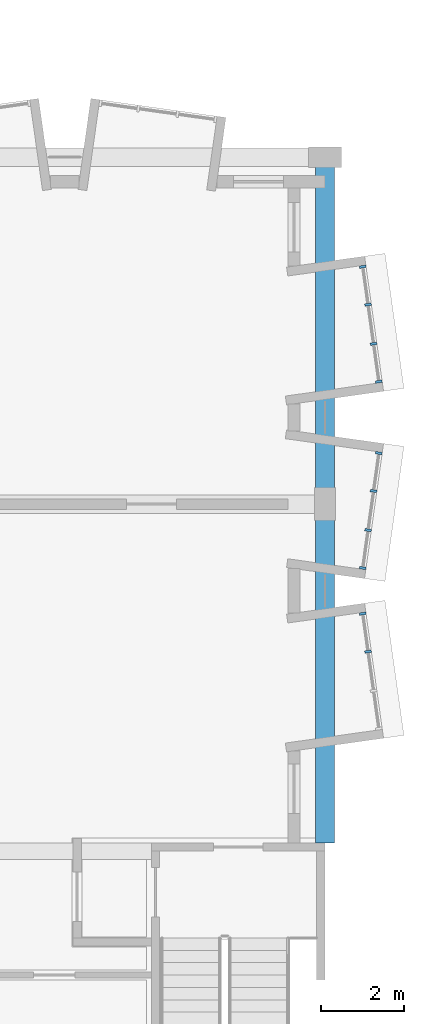
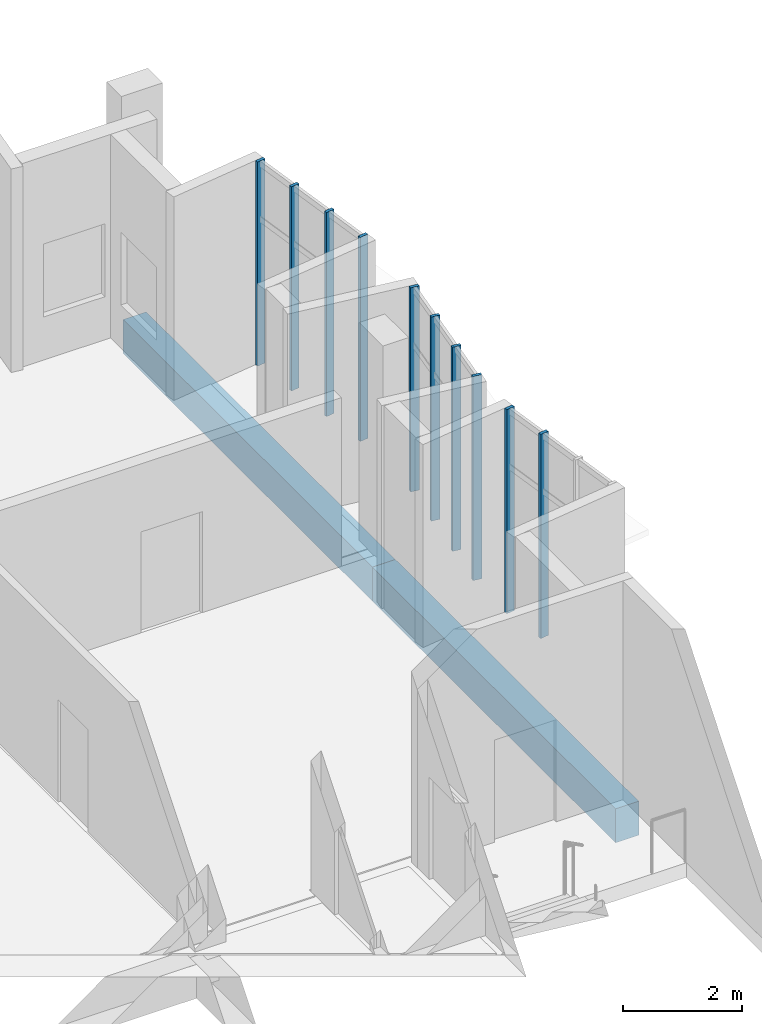
# One storey, part 4 of 19: 10 members, 2 beams, 3 elements without a shape of their own.
"""IFC4 building model written with IfcOpenShell, lengths in metres."""

import ifcopenshell
import ifcopenshell.guid

model = None  # the IFC model being written
_history = None  # IfcOwnerHistory: only IFC2X3 demands one
_inside = {}  # id of a spatial element -> (the spatial element, [elements in it])
_under = {}  # id of a project, library or spatial element -> (it, [spatial elements below it])
_declared = {}  # id of a project -> (the project, [libraries it declares])
_typed = {}  # id of a type object -> (the type object, [elements of that type])
_made_of = {}  # id of a material, layer set ... -> (it, [elements and type objects made of it])


def new_model(schema):
    """Start an empty IFC model of exactly this schema.

    Asked for "IFC4X3", IfcOpenShell would pick the latest addendum, in which some entities
    have other attributes; the version numbers below select the first issue.
    IFC2X3 requires an IfcOwnerHistory on every rooted entity: one is made here for all.
    """
    global model, _history
    if schema == "IFC4X3":
        model = ifcopenshell.file(schema_version=(4, 3, 0, 0))
    else:
        model = ifcopenshell.file(schema=schema)
    _inside.clear()
    _under.clear()
    _declared.clear()
    _typed.clear()
    _made_of.clear()
    _history = None
    if model.schema == "IFC2X3":
        org = make("IfcOrganization", Name="unknown")
        user = make(
            "IfcPersonAndOrganization",
            ThePerson=make("IfcPerson", FamilyName="unknown"),
            TheOrganization=org,
        )
        app = make(
            "IfcApplication",
            ApplicationDeveloper=org,
            Version="unknown",
            ApplicationFullName="unknown",
            ApplicationIdentifier="unknown",
        )
        _history = make(
            "IfcOwnerHistory",
            OwningUser=user,
            OwningApplication=app,
            ChangeAction="ADDED",
            CreationDate=0,
        )
    return model


def make(cls, **values):
    """One entity of the class cls with the attributes given. An attribute that is None is left unset."""
    return model.create_entity(
        cls, **{name: value for name, value in values.items() if value is not None}
    )


def rooted(cls, **values):
    """An entity with a GlobalId (a new one), such as an element, a storey or a relation."""
    return make(cls, GlobalId=ifcopenshell.guid.new(), OwnerHistory=_history, **values)


def si_unit(unit_type, name, prefix=None):
    """IfcSIUnit, for example si_unit("LENGTHUNIT", "METRE", prefix="MILLI")."""
    return make("IfcSIUnit", UnitType=unit_type, Prefix=prefix, Name=name)


def assignment(units):
    """IfcUnitAssignment: the units of a project."""
    return None if units is None else make("IfcUnitAssignment", Units=units)


def point(xyz):
    """IfcCartesianPoint."""
    return None if xyz is None else make("IfcCartesianPoint", Coordinates=xyz)


def direction(xyz):
    """IfcDirection."""
    return None if xyz is None else make("IfcDirection", DirectionRatios=xyz)


def frame(location, z_axis=None, x_axis=None):
    """IfcAxis2Placement3D, a coordinate frame: its origin and axes. An axis left out is left unset."""
    return make(
        "IfcAxis2Placement3D",
        Location=point(location),
        Axis=direction(z_axis),
        RefDirection=direction(x_axis),
    )


def frame_2d(location, x_axis=None):
    """IfcAxis2Placement2D, a coordinate frame in the plane: its origin and x axis."""
    return make(
        "IfcAxis2Placement2D", Location=point(location), RefDirection=direction(x_axis)
    )


def origin():
    """The frame at (0, 0, 0) with its axes left unset."""
    return frame((0.0, 0.0, 0.0))


def origin_2d():
    """The frame at (0, 0) in the plane with its x axis left unset."""
    return frame_2d((0.0, 0.0))


def place(relative_to, where):
    """IfcLocalPlacement: puts the frame where relative to a parent placement (None: the world)."""
    return make(
        "IfcLocalPlacement", PlacementRelTo=relative_to, RelativePlacement=where
    )


def context(
    kind, dimensions, precision=None, world=None, true_north=None, identifier=None
):
    """IfcGeometricRepresentationContext, for example the 3D "Model" context."""
    return make(
        "IfcGeometricRepresentationContext",
        ContextIdentifier=identifier,
        ContextType=kind,
        CoordinateSpaceDimension=dimensions,
        Precision=precision,
        WorldCoordinateSystem=world,
        TrueNorth=true_north,
    )


def subcontext(parent, identifier, kind, view, scale=None):
    """IfcGeometricRepresentationSubContext, for example "Body" below "Model"."""
    return make(
        "IfcGeometricRepresentationSubContext",
        ContextIdentifier=identifier,
        ContextType=kind,
        ParentContext=parent,
        TargetScale=scale,
        TargetView=view,
    )


def project(units=None, contexts=None):
    """IfcProject with its units and contexts."""
    return rooted(
        "IfcProject",
        Name="project",
        RepresentationContexts=contexts,
        UnitsInContext=assignment(units),
    )


def spatial(cls, under=None, at=None, **own):
    """A site, building, storey or space (cls), placed at a placement, below another one or the project."""
    s = rooted(cls, ObjectPlacement=at, **own)
    if under is not None:
        _under.setdefault(under.id(), (under, []))[1].append(s)
    return s


def profile(cls, at=None, kind="AREA", **sizes):
    """A parametric profile (cls). Its sizes go by their IFC names, for example OverallWidth=200.0."""
    return make(cls, ProfileType=kind, Position=at, **sizes)


def rectangle(**sizes):
    """IfcRectangleProfileDef."""
    return profile("IfcRectangleProfileDef", **sizes)


def extrude(swept, where, along, depth):
    """IfcExtrudedAreaSolid: the profile swept, set in the frame where, extruded along a direction by depth."""
    return make(
        "IfcExtrudedAreaSolid",
        SweptArea=swept,
        Position=where,
        ExtrudedDirection=direction(along),
        Depth=depth,
    )


def shape(context_of_items, identifier, shape_type, items):
    """IfcShapeRepresentation: the items that make up one representation, for example the "Body"."""
    return make(
        "IfcShapeRepresentation",
        ContextOfItems=context_of_items,
        RepresentationIdentifier=identifier,
        RepresentationType=shape_type,
        Items=items,
    )


def material(Name=None, Category=None):
    """IfcMaterial."""
    return make("IfcMaterial", Name=Name, Category=Category)


def layer(
    of_material, thickness, ventilated=None, Name=None, Category=None, Priority=None
):
    """IfcMaterialLayer: one layer of a wall or slab, of a material (None: an air gap)."""
    return make(
        "IfcMaterialLayer",
        Material=of_material,
        LayerThickness=thickness,
        IsVentilated=ventilated,
        Name=Name,
        Category=Category,
        Priority=Priority,
    )


def layer_set(layers, Name=None):
    """IfcMaterialLayerSet."""
    return make("IfcMaterialLayerSet", MaterialLayers=layers, LayerSetName=Name)


def material_profile(
    of_material, cross_section, Name=None, Category=None, Priority=None
):
    """IfcMaterialProfile: a cross section and its material."""
    return make(
        "IfcMaterialProfile",
        Name=Name,
        Material=of_material,
        Profile=cross_section,
        Priority=Priority,
        Category=Category,
    )


def profile_set(profiles, Name=None, composite=None):
    """IfcMaterialProfileSet."""
    return make(
        "IfcMaterialProfileSet",
        Name=Name,
        MaterialProfiles=profiles,
        CompositeProfile=composite,
    )


def made_of(thing, what):
    """Note that an element or type object is made of a material, layer set ...; save() writes the relation."""
    if what is not None:
        _made_of.setdefault(what.id(), (what, []))[1].append(thing)
    return thing


def type_object(cls, material=None, **own):
    """A type object (cls), such as IfcWallType, which elements share."""
    return made_of(rooted(cls, **own), material)


def element(
    cls,
    number,
    at=None,
    inside=None,
    cuts=None,
    type_object=None,
    material=None,
    context=None,
    identifier="Body",
    shape_type=None,
    held_by="IfcProductDefinitionShape",
    body=None,
    shapes=None,
    **own,
):
    """One element of the class cls, such as IfcWall. Its Tag is "e" and its number.

    at: its placement. inside: the storey or other place that contains it. cuts: it is an
    opening in that element (IfcRelVoidsElement). A single representation is given by context,
    identifier, shape_type and body (its items); several are given by shapes. held_by: the class
    of the entity that holds the representations. save() writes the other relations.
    """
    e = rooted(cls, Tag="e%d" % number, ObjectPlacement=at, **own)
    if body is not None:
        shapes = [shape(context, identifier, shape_type, body)]
    if shapes is not None:
        e.Representation = make(held_by, Representations=shapes)
    if inside is not None:
        _inside.setdefault(inside.id(), (inside, []))[1].append(e)
    if cuts is not None:
        rooted(
            "IfcRelVoidsElement", RelatingBuildingElement=cuts, RelatedOpeningElement=e
        )
    if type_object is not None:
        _typed.setdefault(type_object.id(), (type_object, []))[1].append(e)
    return made_of(e, material)


def aggregate(whole, parts):
    """IfcRelAggregates: a whole, such as a stair, and the parts it consists of."""
    return rooted("IfcRelAggregates", RelatingObject=whole, RelatedObjects=parts)


def save(model, path):
    """Write the relations noted so far, then the file.

    IfcRelAggregates (storeys below a building ...), IfcRelContainedInSpatialStructure (elements
    in a storey), IfcRelDefinesByType, IfcRelAssociatesMaterial and IfcRelDeclares: one each for
    every whole, place, type object, material and project.
    """
    for whole, parts in _under.values():
        aggregate(whole, parts)
    for where, things in _inside.values():
        rooted(
            "IfcRelContainedInSpatialStructure",
            RelatedElements=things,
            RelatingStructure=where,
        )
    for kind, things in _typed.values():
        rooted("IfcRelDefinesByType", RelatedObjects=things, RelatingType=kind)
    for what, things in _made_of.values():
        rooted("IfcRelAssociatesMaterial", RelatedObjects=things, RelatingMaterial=what)
    for by, libraries in _declared.values():
        rooted("IfcRelDeclares", RelatingContext=by, RelatedDefinitions=libraries)
    model.write(path)


model = new_model("IFC4")

# Units and contexts
model_context = context("Model", 3, precision=1e-05, world=origin(), true_north=direction((0.0, 1.0)))
body_context = subcontext(model_context, "Body", "Model", "MODEL_VIEW")
ifc_project = project(units=[si_unit("LENGTHUNIT", "METRE"), si_unit("AREAUNIT", "SQUARE_METRE"), si_unit("VOLUMEUNIT", "CUBIC_METRE"), si_unit("PLANEANGLEUNIT", "RADIAN"), si_unit("MASSUNIT", "GRAM", prefix="KILO")], contexts=[model_context])

# Site, building, storey
site_placement = place(None, origin())
site = spatial("IfcSite", under=ifc_project, at=site_placement, CompositionType="ELEMENT")
building_placement = place(site_placement, origin())
building = spatial("IfcBuilding", under=site, at=building_placement, Name="Kiln Court Media Centre", CompositionType="ELEMENT")
storey_placement = place(building_placement, frame((0.0, 0.0, 29.10009765625)))
storey = spatial("IfcBuildingStorey", under=building, at=storey_placement, Name="L06", CompositionType="ELEMENT", Elevation=29.10009765625)

# Curtain wall, members
ifc_material_1 = material(Name="Aluminium 6063-T6", Category="aluminium")
ifc_layer = layer(ifc_material_1, 0.1201171875)
ifc_layer_set = layer_set([ifc_layer], Name="Aluminium unitised bay curtain wall")
curtain_wall_type = type_object("IfcCurtainWallType", Name="Aluminium unitised bay curtain wall", PredefinedType="USERDEFINED", material=ifc_layer_set)
curtain_wall_1_placement = place(storey_placement, origin())
curtain_wall_1 = element("IfcCurtainWall", 1, at=curtain_wall_1_placement, inside=storey, type_object=curtain_wall_type, Name="BAY V6A-E-L06-09 front", ObjectType="UNITISED CURTAIN WALL", PredefinedType="USERDEFINED")
ifc_material_2 = material(Name="Aluminium 6063-T6", Category="aluminium")
ifc_material_profile_1 = material_profile(ifc_material_2, rectangle(XDim=0.06005859375, YDim=0.159912109375, at=origin_2d()), Name="Aluminium mullion 60x160")
ifc_profile_set_1 = profile_set([ifc_material_profile_1], Name="Aluminium 6063-T6")
member_type = type_object("IfcMemberType", Name="Aluminium mullion 60x160", PredefinedType="MULLION", material=ifc_profile_set_1)
member_1_placement = place(storey_placement, frame((34.642578125, 13.2294921875, 0.0), z_axis=(0.0, 0.0, 1.0), x_axis=(-0.139162472554, 0.990269562409, 0.0)))
member_1 = element("IfcMember", 2, at=member_1_placement, type_object=member_type, Name="CW6-01 mullion 3", PredefinedType="MULLION", context=body_context, shape_type="SweptSolid", body=[
    extrude(rectangle(XDim=0.06005859375, YDim=0.159912109375, at=origin_2d()), origin(), (0.0, 0.0, 1.0), 4.199951171875),
])
member_2_placement = place(storey_placement, frame((34.513671875, 14.147216796875, 0.0), z_axis=(0.0, 0.0, 1.0), x_axis=(-0.139162472554, 0.990269562409, 0.0)))
member_2 = element("IfcMember", 3, at=member_2_placement, type_object=member_type, Name="CW6-01 mullion 4", PredefinedType="MULLION", context=body_context, shape_type="SweptSolid", body=[
    extrude(rectangle(XDim=0.06005859375, YDim=0.159912109375, at=origin_2d()), origin(), (0.0, 0.0, 1.0), 4.199951171875),
])
aggregate(curtain_wall_1, [member_1, member_2])

curtain_wall_2_placement = place(storey_placement, origin())
curtain_wall_2 = element("IfcCurtainWall", 4, at=curtain_wall_2_placement, inside=storey, type_object=curtain_wall_type, Name="BAY V6A-E-L06-10 front", ObjectType="UNITISED CURTAIN WALL", PredefinedType="USERDEFINED")
member_3_placement = place(storey_placement, frame((34.513671875, 15.2529296875, 0.0), z_axis=(0.0, 0.0, 1.0), x_axis=(0.139162472554, 0.990269562409, 0.0)))
member_3 = element("IfcMember", 5, at=member_3_placement, type_object=member_type, Name="CW6-02 mullion 1", PredefinedType="MULLION", context=body_context, shape_type="SweptSolid", body=[
    extrude(rectangle(XDim=0.06005859375, YDim=0.159912109375, at=origin_2d()), origin(), (0.0, 0.0, 1.0), 4.199951171875),
])
member_4_placement = place(storey_placement, frame((34.642578125, 16.17041015625, 0.0), z_axis=(0.0, 0.0, 1.0), x_axis=(0.139162472554, 0.990269562409, 0.0)))
member_4 = element("IfcMember", 6, at=member_4_placement, type_object=member_type, Name="CW6-02 mullion 2", PredefinedType="MULLION", context=body_context, shape_type="SweptSolid", body=[
    extrude(rectangle(XDim=0.06005859375, YDim=0.159912109375, at=origin_2d()), origin(), (0.0, 0.0, 1.0), 4.199951171875),
])
member_5_placement = place(storey_placement, frame((34.775634765625, 17.117919921875, 0.0), z_axis=(0.0, 0.0, 1.0), x_axis=(0.139162472554, 0.990269562409, 0.0)))
member_5 = element("IfcMember", 7, at=member_5_placement, type_object=member_type, Name="CW6-02 mullion 3", PredefinedType="MULLION", context=body_context, shape_type="SweptSolid", body=[
    extrude(rectangle(XDim=0.06005859375, YDim=0.159912109375, at=origin_2d()), origin(), (0.0, 0.0, 1.0), 4.199951171875),
])
member_6_placement = place(storey_placement, frame((34.904541015625, 18.035400390625, 0.0), z_axis=(0.0, 0.0, 1.0), x_axis=(0.139162472554, 0.990269562409, 0.0)))
member_6 = element("IfcMember", 8, at=member_6_placement, type_object=member_type, Name="CW6-02 mullion 4", PredefinedType="MULLION", context=body_context, shape_type="SweptSolid", body=[
    extrude(rectangle(XDim=0.06005859375, YDim=0.159912109375, at=origin_2d()), origin(), (0.0, 0.0, 1.0), 4.199951171875),
])
aggregate(curtain_wall_2, [member_3, member_4, member_5, member_6])

curtain_wall_3_placement = place(storey_placement, origin())
curtain_wall_3 = element("IfcCurtainWall", 9, at=curtain_wall_3_placement, inside=storey, type_object=curtain_wall_type, Name="BAY V6A-E-L06-11 front", ObjectType="UNITISED CURTAIN WALL", PredefinedType="USERDEFINED")
member_7_placement = place(storey_placement, frame((34.904541015625, 19.764404296875, 0.0), z_axis=(0.0, 0.0, 1.0), x_axis=(-0.139162472554, 0.990269562409, 0.0)))
member_7 = element("IfcMember", 10, at=member_7_placement, type_object=member_type, Name="CW6-03 mullion 1", PredefinedType="MULLION", context=body_context, shape_type="SweptSolid", body=[
    extrude(rectangle(XDim=0.06005859375, YDim=0.159912109375, at=origin_2d()), origin(), (0.0, 0.0, 1.0), 4.199951171875),
])
member_8_placement = place(storey_placement, frame((34.775634765625, 20.68212890625, 0.0), z_axis=(0.0, 0.0, 1.0), x_axis=(-0.139162472554, 0.990269562409, 0.0)))
member_8 = element("IfcMember", 11, at=member_8_placement, type_object=member_type, Name="CW6-03 mullion 2", PredefinedType="MULLION", context=body_context, shape_type="SweptSolid", body=[
    extrude(rectangle(XDim=0.06005859375, YDim=0.159912109375, at=origin_2d()), origin(), (0.0, 0.0, 1.0), 4.199951171875),
])
member_9_placement = place(storey_placement, frame((34.642578125, 21.629638671875, 0.0), z_axis=(0.0, 0.0, 1.0), x_axis=(-0.139162472554, 0.990269562409, 0.0)))
member_9 = element("IfcMember", 12, at=member_9_placement, type_object=member_type, Name="CW6-03 mullion 3", PredefinedType="MULLION", context=body_context, shape_type="SweptSolid", body=[
    extrude(rectangle(XDim=0.06005859375, YDim=0.159912109375, at=origin_2d()), origin(), (0.0, 0.0, 1.0), 4.199951171875),
])
member_10_placement = place(storey_placement, frame((34.513671875, 22.547119140625, 0.0), z_axis=(0.0, 0.0, 1.0), x_axis=(-0.139162472554, 0.990269562409, 0.0)))
member_10 = element("IfcMember", 13, at=member_10_placement, type_object=member_type, Name="CW6-03 mullion 4", PredefinedType="MULLION", context=body_context, shape_type="SweptSolid", body=[
    extrude(rectangle(XDim=0.06005859375, YDim=0.159912109375, at=origin_2d()), origin(), (0.0, 0.0, 1.0), 4.199951171875),
])
aggregate(curtain_wall_3, [member_7, member_8, member_9, member_10])

# Beams
ifc_material_3 = material(Name="Concrete C30/37", Category="concrete")
ifc_material_profile_2 = material_profile(ifc_material_3, rectangle(XDim=0.449951171875, YDim=0.699951171875, at=origin_2d()), Name="RC 450x700")
ifc_profile_set_2 = profile_set([ifc_material_profile_2], Name="Concrete C30/37")
beam_type = type_object("IfcBeamType", Name="Concrete C30/37 beam 450x700", PredefinedType="BEAM", material=ifc_profile_set_2)
beam_1_placement = place(storey_placement, frame((33.60009765625, 8.60009765625, -0.650146484375), z_axis=(0.0, 1.0, 0.0), x_axis=(-1.0, 0.0, 0.0)))
element("IfcBeam", 14, at=beam_1_placement, inside=storey, type_object=beam_type, Name="L06-B-1009", PredefinedType="BEAM", context=body_context, shape_type="SweptSolid", body=[
    extrude(rectangle(XDim=0.449951171875, YDim=0.699951171875, at=origin_2d()), origin(), (0.0, 0.0, 1.0), 8.199951171875),
])
beam_2_placement = place(storey_placement, frame((33.60009765625, 16.800048828125, -0.650146484375), z_axis=(0.0, 1.0, 0.0), x_axis=(-1.0, 0.0, 0.0)))
element("IfcBeam", 15, at=beam_2_placement, inside=storey, type_object=beam_type, Name="L06-B-1010", PredefinedType="BEAM", context=body_context, shape_type="SweptSolid", body=[
    extrude(rectangle(XDim=0.449951171875, YDim=0.699951171875, at=origin_2d()), origin(), (0.0, 0.0, 1.0), 8.39990234375),
])

save(model, "model.ifc")
